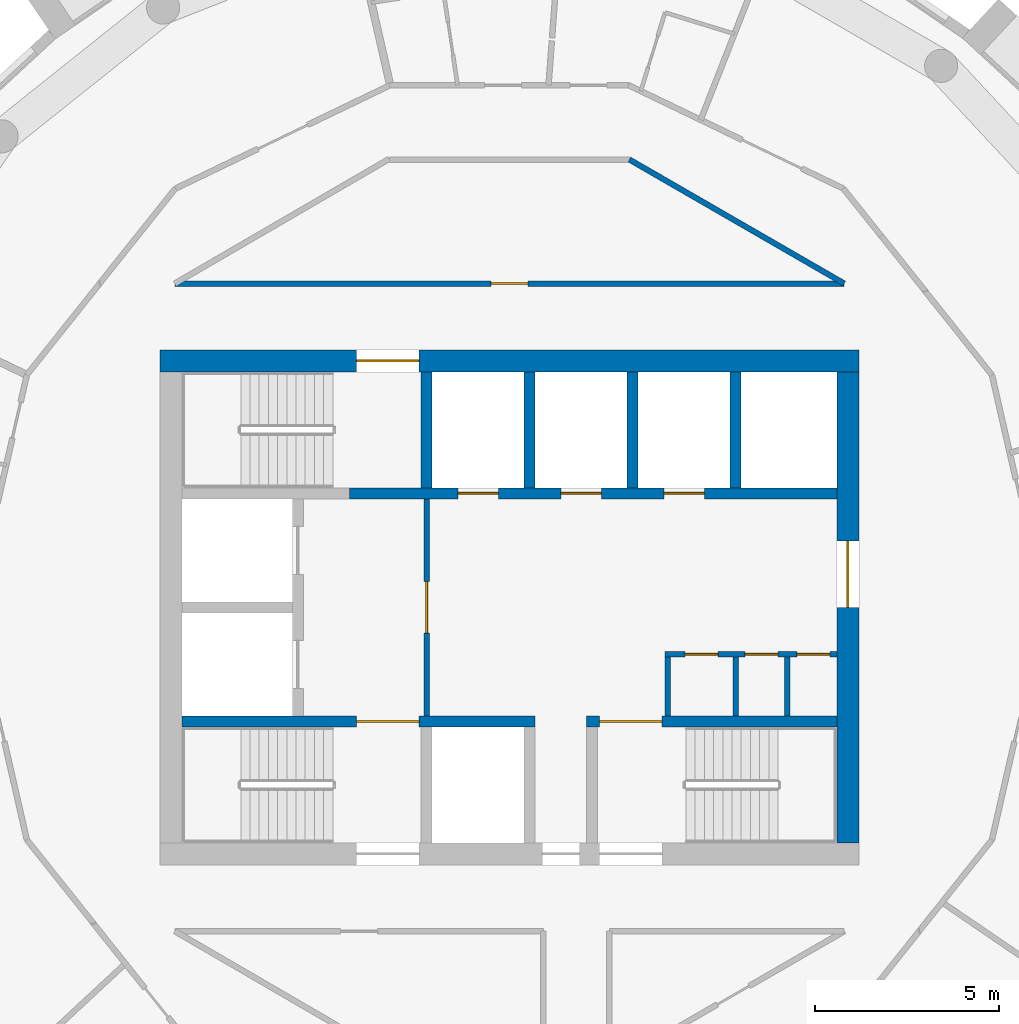
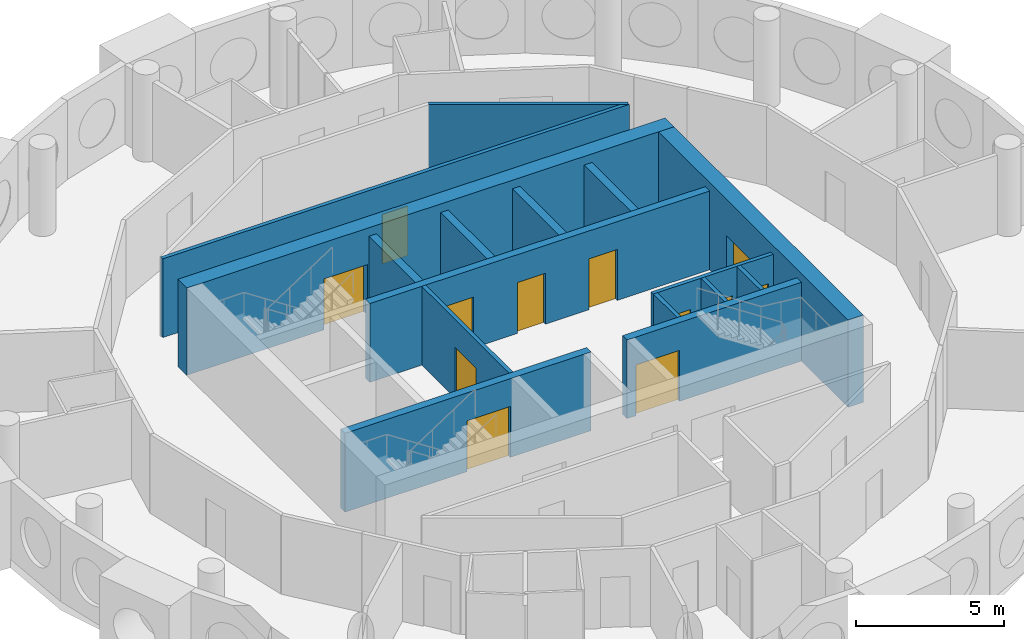
# One storey, part 8 of 13: 16 walls, 12 doors, 12 openings.
"""IFC4 building model written with IfcOpenShell, lengths in metres."""

from ifc_helpers import new_model, si_unit, direction, frame, frame_2d, origin, place, context, subcontext, project, spatial, rectangle, extrude, material, layer, layer_set, type_object, element, fill, save


model = new_model("IFC4")

# Units and contexts
model_context = context("Model", 3, precision=1e-05, world=origin(), true_north=direction((0.0, 1.0)))
body_context = subcontext(model_context, "Body", "Model", "MODEL_VIEW")
ifc_project = project(units=[si_unit("LENGTHUNIT", "METRE"), si_unit("AREAUNIT", "SQUARE_METRE"), si_unit("VOLUMEUNIT", "CUBIC_METRE"), si_unit("PLANEANGLEUNIT", "RADIAN"), si_unit("MASSUNIT", "GRAM", prefix="KILO")], contexts=[model_context])

# Site, building, storey
site_placement = place(None, origin())
site = spatial("IfcSite", under=ifc_project, at=site_placement, CompositionType="ELEMENT")
building_placement = place(site_placement, origin())
building = spatial("IfcBuilding", under=site, at=building_placement, Name="Tracery Tower", CompositionType="ELEMENT")
storey_placement = place(building_placement, frame((0.0, 0.0, 301.800048828125)))
storey = spatial("IfcBuildingStorey", under=building, at=storey_placement, Name="L78", CompositionType="ELEMENT", Elevation=301.800048828125)

# Wall, opening, door
ifc_material_1 = material(Name="Plasterboard on steel studs", Category="steel")
ifc_layer_1 = layer(ifc_material_1, 0.14990234375)
ifc_layer_set_1 = layer_set([ifc_layer_1], Name="Core lobby partition 150")
wall_type_1 = type_object("IfcWallType", Name="Core lobby partition 150", PredefinedType="SOLIDWALL", material=ifc_layer_set_1)
wall_1_placement = place(storey_placement, frame((-2.25, -2.949951171875, 0.0), z_axis=(0.0, 0.0, 1.0), x_axis=(0.0, 1.0, 0.0)))
wall_1 = element("IfcWall", 1, at=wall_1_placement, inside=storey, type_object=wall_type_1, Name="L78 FF lobby E", PredefinedType="SOLIDWALL", context=body_context, shape_type="SweptSolid", body=[
    extrude(rectangle(XDim=5.89990234375, YDim=0.14990234375, at=frame_2d((2.949951171875, 0.0))), origin(), (0.0, 0.0, 1.0), 3.25),
])
opening_1_placement = place(wall_1_placement, frame((2.25, 0.0, 0.0)))
opening_1 = element("IfcOpeningElement", 2, at=opening_1_placement, cuts=wall_1, Name="Opening KD8", PredefinedType="OPENING", context=body_context, shape_type="SweptSolid", body=[
    extrude(rectangle(XDim=1.39990234375, YDim=2.10009765625, at=frame_2d((0.699951171875, 1.050048828125))), frame((0.0, 0.074951171875, 0.0), z_axis=(0.0, -1.0, 0.0), x_axis=(1.0, 0.0, 0.0)), (0.0, 0.0, 1.0), 0.14990234375),
])
ifc_material_2 = material(Name="Steel fire door", Category="steel")
door_type_1 = type_object("IfcDoorType", Name="Core lobby door 1400 double", OperationType="NOTDEFINED", PredefinedType="DOOR", material=ifc_material_2)
door_1_placement = place(opening_1_placement, origin())
door_1 = element("IfcDoor", 3, at=door_1_placement, inside=storey, type_object=door_type_1, Name="Fire-fighting lobby door", OperationType="DOUBLE_DOOR_SINGLE_SWING", OverallHeight=2.10009765625, OverallWidth=1.39990234375, PredefinedType="DOOR", context=body_context, shape_type="SweptSolid", body=[
    extrude(rectangle(XDim=1.39990234375, YDim=2.10009765625, at=frame_2d((0.699951171875, 1.050048828125))), frame((0.0, 0.02490234375, 0.0), z_axis=(0.0, -1.0, 0.0), x_axis=(1.0, 0.0, 0.0)), (0.0, 0.0, 1.0), 0.050048828125),
])
fill(opening_1, door_1)

# Wall
ifc_material_3 = material(Name="Plasterboard on steel studs", Category="steel")
ifc_layer_2 = layer(ifc_material_3, 0.14990234375)
ifc_layer_set_2 = layer_set([ifc_layer_2], Name="Core room partition 150")
wall_type_2 = type_object("IfcWallType", Name="Core room partition 150", PredefinedType="SOLIDWALL", material=ifc_layer_set_2)
wall_2_placement = place(storey_placement, frame((4.300048828125, -2.949951171875, 0.0), z_axis=(0.0, 0.0, 1.0), x_axis=(0.0, 1.0, 0.0)))
element("IfcWall", 4, at=wall_2_placement, inside=storey, type_object=wall_type_2, Name="L78 slot W", PredefinedType="SOLIDWALL", context=body_context, shape_type="SweptSolid", body=[
    extrude(rectangle(XDim=1.599853515625, YDim=0.14990234375, at=frame_2d((0.7998046875, 0.0))), origin(), (0.0, 0.0, 1.0), 3.25),
])

# Wall, openings, doors
wall_3_placement = place(storey_placement, frame((4.22509765625, -1.27490234375, 0.0), z_axis=(0.0, 0.0, 1.0), x_axis=(1.0, 0.0, 0.0)))
wall_3 = element("IfcWall", 5, at=wall_3_placement, inside=storey, type_object=wall_type_2, Name="L78 slot N", PredefinedType="SOLIDWALL", context=body_context, shape_type="SweptSolid", body=[
    extrude(rectangle(XDim=4.6748046875, YDim=0.14990234375, at=frame_2d((2.33740234375, 0.0))), origin(), (0.0, 0.0, 1.0), 3.25),
])
opening_2_placement = place(wall_3_placement, frame((0.550048828125, 0.0, 0.0)))
opening_2 = element("IfcOpeningElement", 6, at=opening_2_placement, cuts=wall_3, Name="Opening KD22", PredefinedType="OPENING", context=body_context, shape_type="SweptSolid", body=[
    extrude(rectangle(XDim=0.89990234375, YDim=2.10009765625, at=frame_2d((0.449951171875, 1.050048828125))), frame((0.0, 0.074951171875, 0.0), z_axis=(0.0, -1.0, 0.0), x_axis=(1.0, 0.0, 0.0)), (0.0, 0.0, 1.0), 0.14990234375),
])
opening_3_placement = place(wall_3_placement, frame((2.175048828125, 0.0, 0.0)))
opening_3 = element("IfcOpeningElement", 7, at=opening_3_placement, cuts=wall_3, Name="Opening KD26", PredefinedType="OPENING", context=body_context, shape_type="SweptSolid", body=[
    extrude(rectangle(XDim=0.89990234375, YDim=2.10009765625, at=frame_2d((0.449951171875, 1.050048828125))), frame((0.0, 0.074951171875, 0.0), z_axis=(0.0, -1.0, 0.0), x_axis=(1.0, 0.0, 0.0)), (0.0, 0.0, 1.0), 0.14990234375),
])
opening_4_placement = place(wall_3_placement, frame((3.58740234375, 0.0, 0.0)))
opening_4 = element("IfcOpeningElement", 8, at=opening_4_placement, cuts=wall_3, Name="Opening KD27", PredefinedType="OPENING", context=body_context, shape_type="SweptSolid", body=[
    extrude(rectangle(XDim=0.89990234375, YDim=2.10009765625, at=frame_2d((0.449951171875, 1.050048828125))), frame((0.0, 0.074951171875, 0.0), z_axis=(0.0, -1.0, 0.0), x_axis=(1.0, 0.0, 0.0)), (0.0, 0.0, 1.0), 0.14990234375),
])
ifc_material_4 = material(Name="Timber door leaf", Category="wood")
door_type_2 = type_object("IfcDoorType", Name="Core WC door 900", OperationType="NOTDEFINED", PredefinedType="DOOR", material=ifc_material_4)
door_2_placement = place(opening_2_placement, origin())
door_2 = element("IfcDoor", 9, at=door_2_placement, inside=storey, type_object=door_type_2, Name="Core door", OperationType="SINGLE_SWING_RIGHT", OverallHeight=2.10009765625, OverallWidth=0.89990234375, PredefinedType="DOOR", context=body_context, shape_type="SweptSolid", body=[
    extrude(rectangle(XDim=0.89990234375, YDim=2.10009765625, at=frame_2d((0.449951171875, 1.050048828125))), frame((0.0, 0.02490234375, 0.0), z_axis=(0.0, -1.0, 0.0), x_axis=(1.0, 0.0, 0.0)), (0.0, 0.0, 1.0), 0.050048828125),
])
fill(opening_2, door_2)
ifc_material_5 = material(Name="Timber door leaf", Category="wood")
door_type_3 = type_object("IfcDoorType", Name="Core store door 900", OperationType="NOTDEFINED", PredefinedType="DOOR", material=ifc_material_5)
door_3_placement = place(opening_3_placement, origin())
door_3 = element("IfcDoor", 10, at=door_3_placement, inside=storey, type_object=door_type_3, Name="Core door", OperationType="SINGLE_SWING_LEFT", OverallHeight=2.10009765625, OverallWidth=0.89990234375, PredefinedType="DOOR", context=body_context, shape_type="SweptSolid", body=[
    extrude(rectangle(XDim=0.89990234375, YDim=2.10009765625, at=frame_2d((0.449951171875, 1.050048828125))), frame((0.0, 0.02490234375, 0.0), z_axis=(0.0, -1.0, 0.0), x_axis=(1.0, 0.0, 0.0)), (0.0, 0.0, 1.0), 0.050048828125),
])
fill(opening_3, door_3)
door_4_placement = place(opening_4_placement, origin())
door_4 = element("IfcDoor", 11, at=door_4_placement, inside=storey, type_object=door_type_3, Name="Core door", OperationType="SINGLE_SWING_RIGHT", OverallHeight=2.10009765625, OverallWidth=0.89990234375, PredefinedType="DOOR", context=body_context, shape_type="SweptSolid", body=[
    extrude(rectangle(XDim=0.89990234375, YDim=2.10009765625, at=frame_2d((0.449951171875, 1.050048828125))), frame((0.0, 0.02490234375, 0.0), z_axis=(0.0, -1.0, 0.0), x_axis=(1.0, 0.0, 0.0)), (0.0, 0.0, 1.0), 0.050048828125),
])
fill(opening_4, door_4)

# Walls
for number, where, z_axis, x_axis, name in (
    (12, (6.14990234375, -2.949951171875, 0.0), (0.0, 0.0, 1.0), (0.0, 1.0, 0.0), "L78 slot sep 1"),
    (13, (7.550048828125, -2.949951171875, 0.0), (0.0, 0.0, 1.0), (0.0, 1.0, 0.0), "L78 slot sep 2"),
):
    element("IfcWall", number, at=place(storey_placement, frame(where, z_axis=z_axis, x_axis=x_axis)), inside=storey, type_object=wall_type_2, Name=name, PredefinedType="SOLIDWALL", context=body_context, shape_type="SweptSolid", body=[
        extrude(rectangle(XDim=1.599853515625, YDim=0.14990234375, at=frame_2d((0.7998046875, 0.0))), origin(), (0.0, 0.0, 1.0), 3.25),
    ])

# Wall, opening, door
ifc_material_6 = material(Name="Concrete C40/50", Category="concrete")
ifc_layer_3 = layer(ifc_material_6, 0.60009765625)
ifc_layer_set_3 = layer_set([ifc_layer_3], Name="Core wall 600 C40")
wall_type_3 = type_object("IfcWallType", Name="Core wall 600 C40", PredefinedType="SOLIDWALL", material=ifc_layer_set_3)
wall_4_placement = place(storey_placement, frame((-9.5, 6.699951171875, 0.0), z_axis=(0.0, 0.0, 1.0), x_axis=(1.0, 0.0, 0.0)))
wall_4 = element("IfcWall", 14, at=wall_4_placement, inside=storey, type_object=wall_type_3, Name="L78 outer N", PredefinedType="SOLIDWALL", context=body_context, shape_type="SweptSolid", body=[
    extrude(rectangle(XDim=19.0, YDim=0.60009765625, at=frame_2d((9.5, 0.0))), origin(), (0.0, 0.0, 1.0), 3.599853515625),
])
opening_5_placement = place(wall_4_placement, frame((5.35009765625, 0.0, 0.0)))
opening_5 = element("IfcOpeningElement", 15, at=opening_5_placement, cuts=wall_4, Name="Opening KD3", PredefinedType="OPENING", context=body_context, shape_type="SweptSolid", body=[
    extrude(rectangle(XDim=1.699951171875, YDim=2.10009765625, at=frame_2d((0.85009765625, 1.050048828125))), frame((0.0, 0.300048828125, 0.0), z_axis=(0.0, -1.0, 0.0), x_axis=(1.0, 0.0, 0.0)), (0.0, 0.0, 1.0), 0.60009765625),
])
ifc_material_7 = material(Name="Steel fire door", Category="steel")
door_type_4 = type_object("IfcDoorType", Name="Core stair door 1700 double", OperationType="NOTDEFINED", PredefinedType="DOOR", material=ifc_material_7)
door_5_placement = place(opening_5_placement, origin())
door_5 = element("IfcDoor", 16, at=door_5_placement, inside=storey, type_object=door_type_4, Name="Stair door ST3 exit", OperationType="DOUBLE_DOOR_SINGLE_SWING", OverallHeight=2.10009765625, OverallWidth=1.699951171875, PredefinedType="DOOR", context=body_context, shape_type="SweptSolid", body=[
    extrude(rectangle(XDim=1.699951171875, YDim=2.10009765625, at=frame_2d((0.85009765625, 1.050048828125))), frame((0.0, 0.02490234375, 0.0), z_axis=(0.0, -1.0, 0.0), x_axis=(1.0, 0.0, 0.0)), (0.0, 0.0, 1.0), 0.050048828125),
])
fill(opening_5, door_5)

wall_5_placement = place(storey_placement, frame((9.199951171875, -6.39990234375, 0.0), z_axis=(0.0, 0.0, 1.0), x_axis=(0.0, 1.0, 0.0)))
wall_5 = element("IfcWall", 17, at=wall_5_placement, inside=storey, type_object=wall_type_3, Name="L78 outer E", PredefinedType="SOLIDWALL", context=body_context, shape_type="SweptSolid", body=[
    extrude(rectangle(XDim=12.7998046875, YDim=0.60009765625, at=frame_2d((6.39990234375, 0.0))), origin(), (0.0, 0.0, 1.0), 3.599853515625),
])
opening_6_placement = place(wall_5_placement, frame((6.39990234375, 0.0, 0.0)))
opening_6 = element("IfcOpeningElement", 18, at=opening_6_placement, cuts=wall_5, Name="Opening KD13", PredefinedType="OPENING", context=body_context, shape_type="SweptSolid", body=[
    extrude(rectangle(XDim=1.800048828125, YDim=2.10009765625, at=frame_2d((0.89990234375, 1.050048828125))), frame((0.0, 0.300048828125, 0.0), z_axis=(0.0, -1.0, 0.0), x_axis=(1.0, 0.0, 0.0)), (0.0, 0.0, 1.0), 0.60009765625),
])
ifc_material_8 = material(Name="Steel fire door", Category="steel")
door_type_5 = type_object("IfcDoorType", Name="Core exit door 1800 double", OperationType="NOTDEFINED", PredefinedType="DOOR", material=ifc_material_8)
door_6_placement = place(opening_6_placement, origin())
door_6 = element("IfcDoor", 19, at=door_6_placement, inside=storey, type_object=door_type_5, Name="Core exit door", OperationType="DOUBLE_DOOR_SINGLE_SWING", OverallHeight=2.10009765625, OverallWidth=1.800048828125, PredefinedType="DOOR", context=body_context, shape_type="SweptSolid", body=[
    extrude(rectangle(XDim=1.800048828125, YDim=2.10009765625, at=frame_2d((0.89990234375, 1.050048828125))), frame((0.0, 0.02490234375, 0.0), z_axis=(0.0, -1.0, 0.0), x_axis=(1.0, 0.0, 0.0)), (0.0, 0.0, 1.0), 0.050048828125),
])
fill(opening_6, door_6)

ifc_material_9 = material(Name="Plasterboard on steel studs", Category="steel")
ifc_layer_4 = layer(ifc_material_9, 0.14990234375)
ifc_layer_set_4 = layer_set([ifc_layer_4], Name="Partition 150 corridor wall")
wall_type_4 = type_object("IfcWallType", Name="Partition 150 corridor wall", PredefinedType="PARTITIONING", material=ifc_layer_set_4)
wall_6_placement = place(storey_placement, frame((-9.092041015625, 8.800048828125, 0.0), z_axis=(0.0, 0.0, 1.0), x_axis=(1.0, 0.0, 0.0)))
wall_6 = element("IfcWall", 20, at=wall_6_placement, inside=storey, type_object=wall_type_4, Name="Corridor wall RC7-002", PredefinedType="PARTITIONING", context=body_context, shape_type="SweptSolid", body=[
    extrude(rectangle(XDim=18.192626953125, YDim=0.14990234375, at=frame_2d((9.09619140625, 0.0))), origin(), (0.0, 0.0, 1.0), 3.25),
])
opening_7_placement = place(wall_6_placement, frame((8.592041015625, 0.0, 0.0)))
opening_7 = element("IfcOpeningElement", 21, at=opening_7_placement, cuts=wall_6, Name="Opening RC7-01", PredefinedType="OPENING", context=body_context, shape_type="SweptSolid", body=[
    extrude(rectangle(XDim=1.0, YDim=2.0400390625, at=frame_2d((0.5, 1.02001953125))), frame((0.0, 0.074951171875, 0.0), z_axis=(0.0, -1.0, 0.0), x_axis=(1.0, 0.0, 0.0)), (0.0, 0.0, 1.0), 0.14990234375),
])
ifc_material_10 = material(Name="Timber door leaf", Category="wood")
door_type_6 = type_object("IfcDoorType", Name="Door communal room 1000", OperationType="NOTDEFINED", PredefinedType="DOOR", material=ifc_material_10)
door_7_placement = place(opening_7_placement, origin())
door_7 = element("IfcDoor", 22, at=door_7_placement, inside=storey, type_object=door_type_6, Name="Communal room door RC7-01", OperationType="SINGLE_SWING_RIGHT", OverallHeight=2.0400390625, OverallWidth=1.0, PredefinedType="DOOR", context=body_context, shape_type="SweptSolid", body=[
    extrude(rectangle(XDim=1.0, YDim=2.0400390625, at=frame_2d((0.5, 1.02001953125))), frame((0.0, 0.02490234375, 0.0), z_axis=(0.0, -1.0, 0.0), x_axis=(1.0, 0.0, 0.0)), (0.0, 0.0, 1.0), 0.050048828125),
])
fill(opening_7, door_7)

# Walls
wall_7_placement = place(storey_placement, frame((3.260986328125, 12.1708984375, 0.0), z_axis=(0.0, 0.0, 1.0), x_axis=(0.866066809554, -0.499928276245, 0.0)))
element("IfcWall", 23, at=wall_7_placement, inside=storey, type_object=wall_type_4, Name="Corridor wall RC7-024", PredefinedType="PARTITIONING", context=body_context, shape_type="SweptSolid", body=[
    extrude(rectangle(XDim=6.74267578125, YDim=0.14990234375, at=frame_2d((3.371337890625, 0.0))), origin(), (0.0, 0.0, 1.0), 3.25),
])
ifc_material_11 = material(Name="Concrete C40/50", Category="concrete")
ifc_layer_5 = layer(ifc_material_11, 0.300048828125)
ifc_layer_set_5 = layer_set([ifc_layer_5], Name="Shaft wall 300 C40")
wall_type_5 = type_object("IfcWallType", Name="Shaft wall 300 C40", PredefinedType="SOLIDWALL", material=ifc_layer_set_5)
for number, where, z_axis, x_axis, name in (
    (24, (0.550048828125, 3.25, 0.0), (0.0, 0.0, 1.0), (0.0, 1.0, 0.0), "L78 HR sep 1"),
    (25, (3.35009765625, 3.25, 0.0), (0.0, 0.0, 1.0), (0.0, 1.0, 0.0), "L78 HR sep 2"),
    (26, (6.14990234375, 3.25, 0.0), (0.0, 0.0, 1.0), (0.0, 1.0, 0.0), "L78 HR sep 3"),
):
    element("IfcWall", number, at=place(storey_placement, frame(where, z_axis=z_axis, x_axis=x_axis)), inside=storey, type_object=wall_type_5, Name=name, PredefinedType="SOLIDWALL", context=body_context, shape_type="SweptSolid", body=[
        extrude(rectangle(XDim=3.14990234375, YDim=0.300048828125, at=frame_2d((1.574951171875, 0.0))), origin(), (0.0, 0.0, 1.0), 3.25),
    ])

# Wall, opening, door
ifc_material_12 = material(Name="Concrete C40/50", Category="concrete")
ifc_layer_6 = layer(ifc_material_12, 0.300048828125)
ifc_layer_set_6 = layer_set([ifc_layer_6], Name="Stair wall 300 C40")
wall_type_6 = type_object("IfcWallType", Name="Stair wall 300 C40", PredefinedType="SOLIDWALL", material=ifc_layer_set_6)
wall_8_placement = place(storey_placement, frame((-8.89990234375, -3.10009765625, 0.0), z_axis=(0.0, 0.0, 1.0), x_axis=(1.0, 0.0, 0.0)))
wall_8 = element("IfcWall", 27, at=wall_8_placement, inside=storey, type_object=wall_type_6, Name="L78 row S", PredefinedType="SOLIDWALL", context=body_context, shape_type="SweptSolid", body=[
    extrude(rectangle(XDim=9.599853515625, YDim=0.300048828125, at=frame_2d((4.7998046875, 0.0))), origin(), (0.0, 0.0, 1.0), 3.25),
])
opening_8_placement = place(wall_8_placement, frame((4.75, 0.0, 0.0)))
opening_8 = element("IfcOpeningElement", 28, at=opening_8_placement, cuts=wall_8, Name="Opening KD3", PredefinedType="OPENING", context=body_context, shape_type="SweptSolid", body=[
    extrude(rectangle(XDim=1.699951171875, YDim=2.10009765625, at=frame_2d((0.85009765625, 1.050048828125))), frame((0.0, 0.14990234375, 0.0), z_axis=(0.0, -1.0, 0.0), x_axis=(1.0, 0.0, 0.0)), (0.0, 0.0, 1.0), 0.300048828125),
])
door_8_placement = place(opening_8_placement, origin())
door_8 = element("IfcDoor", 29, at=door_8_placement, inside=storey, type_object=door_type_4, Name="Stair door ST1", OperationType="DOUBLE_DOOR_SINGLE_SWING", OverallHeight=2.10009765625, OverallWidth=1.699951171875, PredefinedType="DOOR", context=body_context, shape_type="SweptSolid", body=[
    extrude(rectangle(XDim=1.699951171875, YDim=2.10009765625, at=frame_2d((0.85009765625, 1.050048828125))), frame((0.0, 0.02490234375, 0.0), z_axis=(0.0, -1.0, 0.0), x_axis=(1.0, 0.0, 0.0)), (0.0, 0.0, 1.0), 0.050048828125),
])
fill(opening_8, door_8)

wall_9_placement = place(storey_placement, frame((2.10009765625, -3.10009765625, 0.0), z_axis=(0.0, 0.0, 1.0), x_axis=(1.0, 0.0, 0.0)))
wall_9 = element("IfcWall", 30, at=wall_9_placement, inside=storey, type_object=wall_type_6, Name="L78 row S E", PredefinedType="SOLIDWALL", context=body_context, shape_type="SweptSolid", body=[
    extrude(rectangle(XDim=6.7998046875, YDim=0.300048828125, at=frame_2d((3.39990234375, 0.0))), origin(), (0.0, 0.0, 1.0), 3.25),
])
opening_9_placement = place(wall_9_placement, frame((0.35009765625, 0.0, 0.0)))
opening_9 = element("IfcOpeningElement", 31, at=opening_9_placement, cuts=wall_9, Name="Opening KD3", PredefinedType="OPENING", context=body_context, shape_type="SweptSolid", body=[
    extrude(rectangle(XDim=1.699951171875, YDim=2.10009765625, at=frame_2d((0.85009765625, 1.050048828125))), frame((0.0, 0.14990234375, 0.0), z_axis=(0.0, -1.0, 0.0), x_axis=(1.0, 0.0, 0.0)), (0.0, 0.0, 1.0), 0.300048828125),
])
door_9_placement = place(opening_9_placement, origin())
door_9 = element("IfcDoor", 32, at=door_9_placement, inside=storey, type_object=door_type_4, Name="Stair door ST2", OperationType="DOUBLE_DOOR_SINGLE_SWING", OverallHeight=2.10009765625, OverallWidth=1.699951171875, PredefinedType="DOOR", context=body_context, shape_type="SweptSolid", body=[
    extrude(rectangle(XDim=1.699951171875, YDim=2.10009765625, at=frame_2d((0.85009765625, 1.050048828125))), frame((0.0, 0.02490234375, 0.0), z_axis=(0.0, -1.0, 0.0), x_axis=(1.0, 0.0, 0.0)), (0.0, 0.0, 1.0), 0.050048828125),
])
fill(opening_9, door_9)

# Wall, openings, doors
wall_10_placement = place(storey_placement, frame((-4.35009765625, 3.10009765625, 0.0), z_axis=(0.0, 0.0, 1.0), x_axis=(1.0, 0.0, 0.0)))
wall_10 = element("IfcWall", 33, at=wall_10_placement, inside=storey, type_object=wall_type_6, Name="L78 row N", PredefinedType="SOLIDWALL", context=body_context, shape_type="SweptSolid", body=[
    extrude(rectangle(XDim=13.25, YDim=0.300048828125, at=frame_2d((6.625, 0.0))), origin(), (0.0, 0.0, 1.0), 3.25),
])
opening_10_placement = place(wall_10_placement, frame((2.949951171875, 0.0, 0.0)))
opening_10 = element("IfcOpeningElement", 34, at=opening_10_placement, cuts=wall_10, Name="Opening KD49", PredefinedType="OPENING", context=body_context, shape_type="SweptSolid", body=[
    extrude(rectangle(XDim=1.10009765625, YDim=2.10009765625, at=frame_2d((0.550048828125, 1.050048828125))), frame((0.0, 0.14990234375, 0.0), z_axis=(0.0, -1.0, 0.0), x_axis=(1.0, 0.0, 0.0)), (0.0, 0.0, 1.0), 0.300048828125),
])
opening_11_placement = place(wall_10_placement, frame((5.75, 0.0, 0.0)))
opening_11 = element("IfcOpeningElement", 35, at=opening_11_placement, cuts=wall_10, Name="Opening KD50", PredefinedType="OPENING", context=body_context, shape_type="SweptSolid", body=[
    extrude(rectangle(XDim=1.10009765625, YDim=2.10009765625, at=frame_2d((0.550048828125, 1.050048828125))), frame((0.0, 0.14990234375, 0.0), z_axis=(0.0, -1.0, 0.0), x_axis=(1.0, 0.0, 0.0)), (0.0, 0.0, 1.0), 0.300048828125),
])
opening_12_placement = place(wall_10_placement, frame((8.550048828125, 0.0, 0.0)))
opening_12 = element("IfcOpeningElement", 36, at=opening_12_placement, cuts=wall_10, Name="Opening KD49", PredefinedType="OPENING", context=body_context, shape_type="SweptSolid", body=[
    extrude(rectangle(XDim=1.10009765625, YDim=2.10009765625, at=frame_2d((0.550048828125, 1.050048828125))), frame((0.0, 0.14990234375, 0.0), z_axis=(0.0, -1.0, 0.0), x_axis=(1.0, 0.0, 0.0)), (0.0, 0.0, 1.0), 0.300048828125),
])
ifc_material_13 = material(Name="Steel fire door", Category="steel")
door_type_7 = type_object("IfcDoorType", Name="Landing door 1100", OperationType="NOTDEFINED", PredefinedType="DOOR", material=ifc_material_13)
door_10_placement = place(opening_10_placement, origin())
door_10 = element("IfcDoor", 37, at=door_10_placement, inside=storey, type_object=door_type_7, Name="Landing door HR1", OperationType="SLIDING_TO_LEFT", OverallHeight=2.10009765625, OverallWidth=1.10009765625, PredefinedType="DOOR", context=body_context, shape_type="SweptSolid", body=[
    extrude(rectangle(XDim=1.10009765625, YDim=2.10009765625, at=frame_2d((0.550048828125, 1.050048828125))), frame((0.0, 0.02490234375, 0.0), z_axis=(0.0, -1.0, 0.0), x_axis=(1.0, 0.0, 0.0)), (0.0, 0.0, 1.0), 0.050048828125),
])
fill(opening_10, door_10)
door_11_placement = place(opening_11_placement, origin())
door_11 = element("IfcDoor", 38, at=door_11_placement, inside=storey, type_object=door_type_7, Name="Landing door HR2", OperationType="SLIDING_TO_RIGHT", OverallHeight=2.10009765625, OverallWidth=1.10009765625, PredefinedType="DOOR", context=body_context, shape_type="SweptSolid", body=[
    extrude(rectangle(XDim=1.10009765625, YDim=2.10009765625, at=frame_2d((0.550048828125, 1.050048828125))), frame((0.0, 0.02490234375, 0.0), z_axis=(0.0, -1.0, 0.0), x_axis=(1.0, 0.0, 0.0)), (0.0, 0.0, 1.0), 0.050048828125),
])
fill(opening_11, door_11)
door_12_placement = place(opening_12_placement, origin())
door_12 = element("IfcDoor", 39, at=door_12_placement, inside=storey, type_object=door_type_7, Name="Landing door HR3", OperationType="SLIDING_TO_LEFT", OverallHeight=2.10009765625, OverallWidth=1.10009765625, PredefinedType="DOOR", context=body_context, shape_type="SweptSolid", body=[
    extrude(rectangle(XDim=1.10009765625, YDim=2.10009765625, at=frame_2d((0.550048828125, 1.050048828125))), frame((0.0, 0.02490234375, 0.0), z_axis=(0.0, -1.0, 0.0), x_axis=(1.0, 0.0, 0.0)), (0.0, 0.0, 1.0), 0.050048828125),
])
fill(opening_12, door_12)

# Wall
wall_11_placement = place(storey_placement, frame((-2.25, 3.25, 0.0), z_axis=(0.0, 0.0, 1.0), x_axis=(0.0, 1.0, 0.0)))
element("IfcWall", 40, at=wall_11_placement, inside=storey, type_object=wall_type_6, Name="L78 ST3 E", PredefinedType="SOLIDWALL", context=body_context, shape_type="SweptSolid", body=[
    extrude(rectangle(XDim=3.14990234375, YDim=0.300048828125, at=frame_2d((1.574951171875, 0.0))), origin(), (0.0, 0.0, 1.0), 3.25),
])

save(model, "model.ifc")
